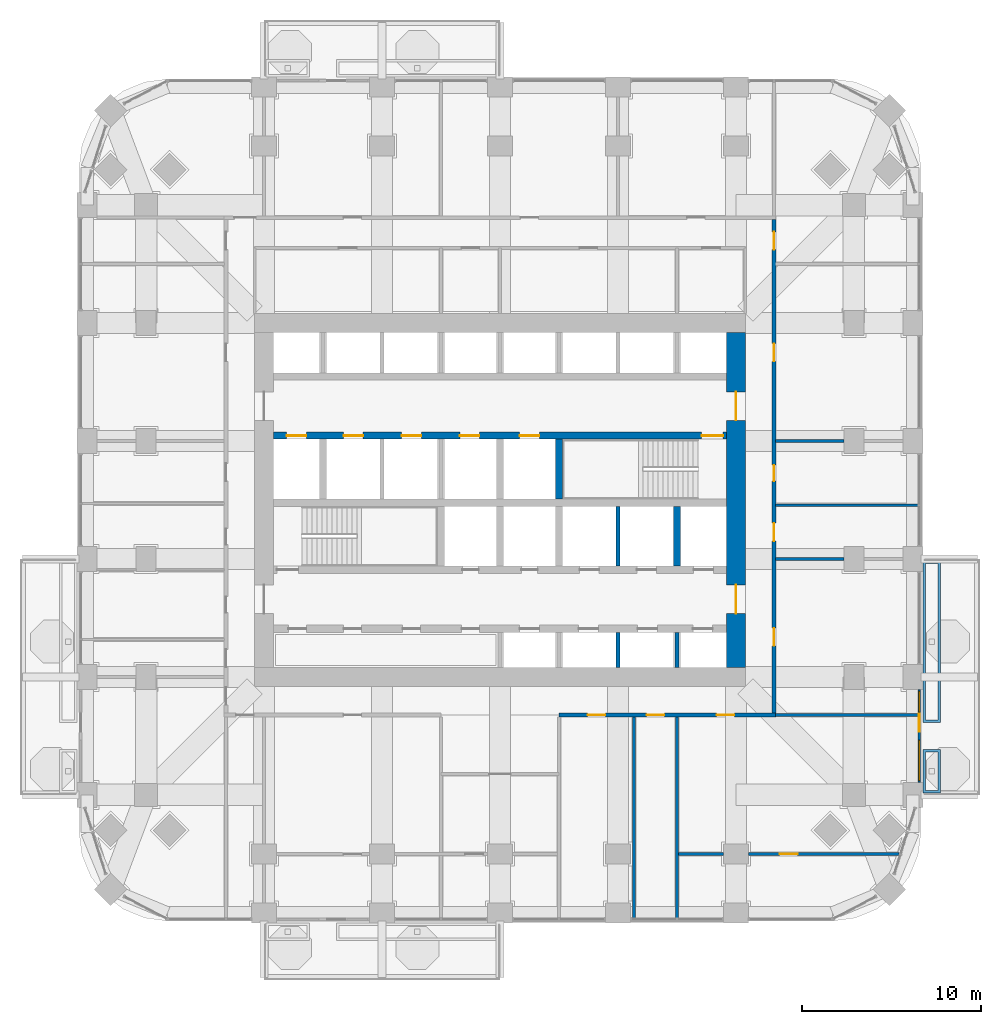
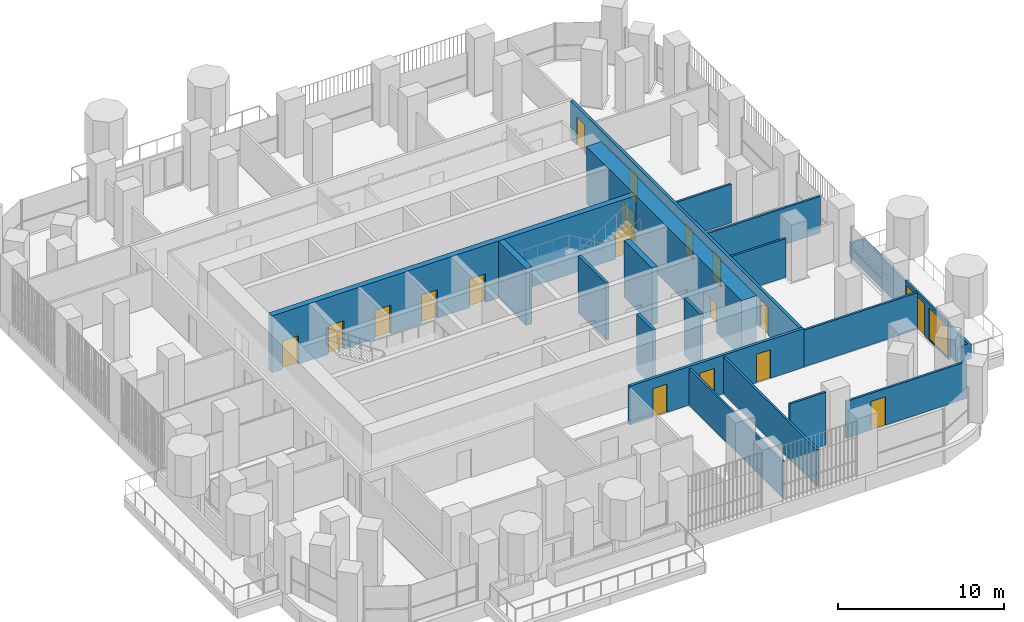
# One storey, part 15 of 21: 20 walls, 18 doors, 2 windows, 20 openings.
"""IFC4 building model written with IfcOpenShell, lengths in metres."""

from ifc_helpers import new_model, si_unit, direction, frame, frame_2d, origin, place, context, subcontext, project, spatial, polyline, rectangle, outline, extrude, material, layer, layer_set, type_object, element, fill, save


model = new_model("IFC4")

# Units and contexts
model_context = context("Model", 3, precision=1e-05, world=origin(), true_north=direction((0.0, 1.0)))
body_context = subcontext(model_context, "Body", "Model", "MODEL_VIEW")
ifc_project = project(units=[si_unit("LENGTHUNIT", "METRE"), si_unit("AREAUNIT", "SQUARE_METRE"), si_unit("VOLUMEUNIT", "CUBIC_METRE"), si_unit("PLANEANGLEUNIT", "RADIAN"), si_unit("MASSUNIT", "GRAM", prefix="KILO")], contexts=[model_context])

# Site, building, storey
site_placement = place(None, origin())
site = spatial("IfcSite", under=ifc_project, at=site_placement, CompositionType="ELEMENT")
building_placement = place(site_placement, origin())
building = spatial("IfcBuilding", under=site, at=building_placement, Name="Cobogo Forest Laboratory Tower", CompositionType="ELEMENT")
storey_placement = place(building_placement, frame((0.0, 0.0, 115.800048828125)))
storey = spatial("IfcBuildingStorey", under=building, at=storey_placement, Name="L26", CompositionType="ELEMENT", Elevation=115.800048828125)

# Wall, openings, doors
ifc_material_1 = material(Name="Concrete HA-50 (C50/60)", Category="concrete")
ifc_layer_1 = layer(ifc_material_1, 0.39990234375)
ifc_layer_set_1 = layer_set([ifc_layer_1], Name="CI400 core inner wall 400")
wall_type_1 = type_object("IfcWallType", Name="CI400 core inner wall 400", PredefinedType="SHEAR", material=ifc_layer_set_1)
wall_1_placement = place(storey_placement, frame((13.72509765625, 26.699951171875, 0.0), z_axis=(0.0, 0.0, 1.0), x_axis=(1.0, 0.0, 0.0)))
wall_1 = element("IfcWall", 1, at=wall_1_placement, inside=storey, type_object=wall_type_1, Name="Core wall CI-26.7 L26", PredefinedType="SHEAR", context=body_context, shape_type="SweptSolid", body=[
    extrude(rectangle(XDim=25.349853515625, YDim=0.39990234375, at=frame_2d((12.6748046875, 0.0))), origin(), (0.0, 0.0, 1.0), 4.199951171875),
])
opening_1_placement = place(wall_1_placement, frame((23.949951171875, 0.0, 0.0)))
opening_1 = element("IfcOpeningElement", 2, at=opening_1_placement, cuts=wall_1, Name="Opening L26-D30", PredefinedType="OPENING", context=body_context, shape_type="SweptSolid", body=[
    extrude(rectangle(XDim=1.199951171875, YDim=2.10009765625, at=frame_2d((0.60009765625, 1.050048828125))), frame((0.0, 0.2099609375, 0.0), z_axis=(0.0, -1.0, 0.0), x_axis=(1.0, 0.0, 0.0)), (0.0, 0.0, 1.0), 0.419921875),
])
opening_2_placement = place(wall_1_placement, frame((0.737548828125, 0.0, 0.0)))
opening_2 = element("IfcOpeningElement", 3, at=opening_2_placement, cuts=wall_1, Name="Opening L26-LD-FL1", PredefinedType="OPENING", context=body_context, shape_type="SweptSolid", body=[
    extrude(rectangle(XDim=1.10009765625, YDim=2.10009765625, at=frame_2d((0.550048828125, 1.050048828125))), frame((0.0, 0.2099609375, 0.0), z_axis=(0.0, -1.0, 0.0), x_axis=(1.0, 0.0, 0.0)), (0.0, 0.0, 1.0), 0.419921875),
])
opening_3_placement = place(wall_1_placement, frame((3.925048828125, 0.0, 0.0)))
opening_3 = element("IfcOpeningElement", 4, at=opening_3_placement, cuts=wall_1, Name="Opening L26-LD-LS3", PredefinedType="OPENING", context=body_context, shape_type="SweptSolid", body=[
    extrude(rectangle(XDim=1.10009765625, YDim=2.10009765625, at=frame_2d((0.550048828125, 1.050048828125))), frame((0.0, 0.2099609375, 0.0), z_axis=(0.0, -1.0, 0.0), x_axis=(1.0, 0.0, 0.0)), (0.0, 0.0, 1.0), 0.419921875),
])
opening_4_placement = place(wall_1_placement, frame((7.175048828125, 0.0, 0.0)))
opening_4 = element("IfcOpeningElement", 5, at=opening_4_placement, cuts=wall_1, Name="Opening L26-LD-LS4", PredefinedType="OPENING", context=body_context, shape_type="SweptSolid", body=[
    extrude(rectangle(XDim=1.10009765625, YDim=2.10009765625, at=frame_2d((0.550048828125, 1.050048828125))), frame((0.0, 0.2099609375, 0.0), z_axis=(0.0, -1.0, 0.0), x_axis=(1.0, 0.0, 0.0)), (0.0, 0.0, 1.0), 0.419921875),
])
opening_5_placement = place(wall_1_placement, frame((10.425048828125, 0.0, 0.0)))
opening_5 = element("IfcOpeningElement", 6, at=opening_5_placement, cuts=wall_1, Name="Opening L26-LD-LS5", PredefinedType="OPENING", context=body_context, shape_type="SweptSolid", body=[
    extrude(rectangle(XDim=1.10009765625, YDim=2.10009765625, at=frame_2d((0.550048828125, 1.050048828125))), frame((0.0, 0.2099609375, 0.0), z_axis=(0.0, -1.0, 0.0), x_axis=(1.0, 0.0, 0.0)), (0.0, 0.0, 1.0), 0.419921875),
])
opening_6_placement = place(wall_1_placement, frame((13.77490234375, 0.0, 0.0)))
opening_6 = element("IfcOpeningElement", 7, at=opening_6_placement, cuts=wall_1, Name="Opening L26-LD-LS6", PredefinedType="OPENING", context=body_context, shape_type="SweptSolid", body=[
    extrude(rectangle(XDim=1.10009765625, YDim=2.10009765625, at=frame_2d((0.550048828125, 1.050048828125))), frame((0.0, 0.2099609375, 0.0), z_axis=(0.0, -1.0, 0.0), x_axis=(1.0, 0.0, 0.0)), (0.0, 0.0, 1.0), 0.419921875),
])
ifc_material_2 = material(Name="Steel fire door", Category="steel")
door_type_1 = type_object("IfcDoorType", Name="DS1 protected stair door 1200 EI2 60", OperationType="SINGLE_SWING_LEFT", PredefinedType="DOOR", material=ifc_material_2)
door_1_placement = place(opening_1_placement, origin())
door_1 = element("IfcDoor", 8, at=door_1_placement, inside=storey, type_object=door_type_1, Name="Door L26-ST2", OperationType="SINGLE_SWING_RIGHT", OverallHeight=2.10009765625, OverallWidth=1.199951171875, PredefinedType="DOOR", context=body_context, shape_type="SweptSolid", body=[
    extrude(rectangle(XDim=1.199951171875, YDim=2.10009765625, at=frame_2d((0.60009765625, 1.050048828125))), frame((0.0, 0.02490234375, 0.0), z_axis=(0.0, -1.0, 0.0), x_axis=(1.0, 0.0, 0.0)), (0.0, 0.0, 1.0), 0.050048828125),
])
fill(opening_1, door_1)
ifc_material_3 = material(Name="Stainless steel lift door", Category="steel")
door_type_2 = type_object("IfcDoorType", Name="LD lift landing door 1100", OperationType="DOUBLE_DOOR_SLIDING", PredefinedType="DOOR", material=ifc_material_3)
door_2_placement = place(opening_2_placement, origin())
door_2 = element("IfcDoor", 9, at=door_2_placement, inside=storey, type_object=door_type_2, Name="Lift landing door FL1 L26", OperationType="DOUBLE_DOOR_SLIDING", OverallHeight=2.10009765625, OverallWidth=1.10009765625, PredefinedType="DOOR", context=body_context, shape_type="SweptSolid", body=[
    extrude(rectangle(XDim=1.10009765625, YDim=2.10009765625, at=frame_2d((0.550048828125, 1.050048828125))), frame((0.0, 0.02490234375, 0.0), z_axis=(0.0, -1.0, 0.0), x_axis=(1.0, 0.0, 0.0)), (0.0, 0.0, 1.0), 0.050048828125),
])
fill(opening_2, door_2)
door_3_placement = place(opening_3_placement, origin())
door_3 = element("IfcDoor", 10, at=door_3_placement, inside=storey, type_object=door_type_2, Name="Lift landing door LS3 L26", OperationType="DOUBLE_DOOR_SLIDING", OverallHeight=2.10009765625, OverallWidth=1.10009765625, PredefinedType="DOOR", context=body_context, shape_type="SweptSolid", body=[
    extrude(rectangle(XDim=1.10009765625, YDim=2.10009765625, at=frame_2d((0.550048828125, 1.050048828125))), frame((0.0, 0.02490234375, 0.0), z_axis=(0.0, -1.0, 0.0), x_axis=(1.0, 0.0, 0.0)), (0.0, 0.0, 1.0), 0.050048828125),
])
fill(opening_3, door_3)
door_4_placement = place(opening_4_placement, origin())
door_4 = element("IfcDoor", 11, at=door_4_placement, inside=storey, type_object=door_type_2, Name="Lift landing door LS4 L26", OperationType="DOUBLE_DOOR_SLIDING", OverallHeight=2.10009765625, OverallWidth=1.10009765625, PredefinedType="DOOR", context=body_context, shape_type="SweptSolid", body=[
    extrude(rectangle(XDim=1.10009765625, YDim=2.10009765625, at=frame_2d((0.550048828125, 1.050048828125))), frame((0.0, 0.02490234375, 0.0), z_axis=(0.0, -1.0, 0.0), x_axis=(1.0, 0.0, 0.0)), (0.0, 0.0, 1.0), 0.050048828125),
])
fill(opening_4, door_4)
door_5_placement = place(opening_5_placement, origin())
door_5 = element("IfcDoor", 12, at=door_5_placement, inside=storey, type_object=door_type_2, Name="Lift landing door LS5 L26", OperationType="DOUBLE_DOOR_SLIDING", OverallHeight=2.10009765625, OverallWidth=1.10009765625, PredefinedType="DOOR", context=body_context, shape_type="SweptSolid", body=[
    extrude(rectangle(XDim=1.10009765625, YDim=2.10009765625, at=frame_2d((0.550048828125, 1.050048828125))), frame((0.0, 0.02490234375, 0.0), z_axis=(0.0, -1.0, 0.0), x_axis=(1.0, 0.0, 0.0)), (0.0, 0.0, 1.0), 0.050048828125),
])
fill(opening_5, door_5)
door_6_placement = place(opening_6_placement, origin())
door_6 = element("IfcDoor", 13, at=door_6_placement, inside=storey, type_object=door_type_2, Name="Lift landing door LS6 L26", OperationType="DOUBLE_DOOR_SLIDING", OverallHeight=2.10009765625, OverallWidth=1.10009765625, PredefinedType="DOOR", context=body_context, shape_type="SweptSolid", body=[
    extrude(rectangle(XDim=1.10009765625, YDim=2.10009765625, at=frame_2d((0.550048828125, 1.050048828125))), frame((0.0, 0.02490234375, 0.0), z_axis=(0.0, -1.0, 0.0), x_axis=(1.0, 0.0, 0.0)), (0.0, 0.0, 1.0), 0.050048828125),
])
fill(opening_6, door_6)

# Walls
for number, where, z_axis, x_axis, name in (
    (14, (36.300048828125, 19.39990234375, 0.0), (0.0, 0.0, 1.0), (0.0, 1.0, 0.0), "Core wall CX-36.3 L26"),
    (15, (29.699951171875, 23.14990234375, 0.0), (0.0, 0.0, 1.0), (0.0, 1.0, 0.0), "Core wall CX-29.7N L26"),
):
    element("IfcWall", number, at=place(storey_placement, frame(where, z_axis=z_axis, x_axis=x_axis)), inside=storey, type_object=wall_type_1, Name=name, PredefinedType="SHEAR", context=body_context, shape_type="SweptSolid", body=[
        extrude(rectangle(XDim=3.35009765625, YDim=0.39990234375, at=frame_2d((1.675048828125, 0.0))), origin(), (0.0, 0.0, 1.0), 4.199951171875),
    ])

# Wall, openings, doors
ifc_layer_2 = layer(ifc_material_1, 1.050048828125)
ifc_layer_set_2 = layer_set([ifc_layer_2], Name="CW1050 core outer wall 1050")
wall_type_2 = type_object("IfcWallType", Name="CW1050 core outer wall 1050", PredefinedType="SHEAR", material=ifc_layer_set_2)
wall_2_placement = place(storey_placement, frame((39.60009765625, 13.72509765625, 0.0), z_axis=(0.0, 0.0, 1.0), x_axis=(0.0, 1.0, 0.0)))
wall_2 = element("IfcWall", 16, at=wall_2_placement, inside=storey, type_object=wall_type_2, Name="Core wall CO-E L26", PredefinedType="SHEAR", context=body_context, shape_type="SweptSolid", body=[
    extrude(rectangle(XDim=18.75, YDim=1.050048828125, at=frame_2d((9.375, 0.0))), origin(), (0.0, 0.0, 1.0), 4.199951171875),
])
opening_7_placement = place(wall_2_placement, frame((3.02490234375, 0.0, 0.0)))
opening_7 = element("IfcOpeningElement", 17, at=opening_7_placement, cuts=wall_2, Name="Opening L26-D22", PredefinedType="OPENING", context=body_context, shape_type="SweptSolid", body=[
    extrude(rectangle(XDim=1.60009765625, YDim=2.10009765625, at=frame_2d((0.800048828125, 1.050048828125))), frame((0.0, 0.534912109375, 0.0), z_axis=(0.0, -1.0, 0.0), x_axis=(1.0, 0.0, 0.0)), (0.0, 0.0, 1.0), 1.070068359375),
])
opening_8_placement = place(wall_2_placement, frame((13.824951171875, 0.0, 0.0)))
opening_8 = element("IfcOpeningElement", 18, at=opening_8_placement, cuts=wall_2, Name="Opening L26-D32", PredefinedType="OPENING", context=body_context, shape_type="SweptSolid", body=[
    extrude(rectangle(XDim=1.60009765625, YDim=2.10009765625, at=frame_2d((0.800048828125, 1.050048828125))), frame((0.0, 0.534912109375, 0.0), z_axis=(0.0, -1.0, 0.0), x_axis=(1.0, 0.0, 0.0)), (0.0, 0.0, 1.0), 1.070068359375),
])
door_type_3 = type_object("IfcDoorType", Name="DS2 protected lobby door pair 1600 EI2 60", OperationType="DOUBLE_DOOR_DOUBLE_SWING", PredefinedType="DOOR", material=ifc_material_2)
door_7_placement = place(opening_7_placement, origin())
door_7 = element("IfcDoor", 19, at=door_7_placement, inside=storey, type_object=door_type_3, Name="Door L26-CO-E-S", OperationType="DOUBLE_DOOR_DOUBLE_SWING", OverallHeight=2.10009765625, OverallWidth=1.60009765625, PredefinedType="DOOR", context=body_context, shape_type="SweptSolid", body=[
    extrude(rectangle(XDim=1.60009765625, YDim=2.10009765625, at=frame_2d((0.800048828125, 1.050048828125))), frame((0.0, 0.02490234375, 0.0), z_axis=(0.0, -1.0, 0.0), x_axis=(1.0, 0.0, 0.0)), (0.0, 0.0, 1.0), 0.050048828125),
])
fill(opening_7, door_7)
door_8_placement = place(opening_8_placement, origin())
door_8 = element("IfcDoor", 20, at=door_8_placement, inside=storey, type_object=door_type_3, Name="Door L26-CO-E-N", OperationType="DOUBLE_DOOR_DOUBLE_SWING", OverallHeight=2.10009765625, OverallWidth=1.60009765625, PredefinedType="DOOR", context=body_context, shape_type="SweptSolid", body=[
    extrude(rectangle(XDim=1.60009765625, YDim=2.10009765625, at=frame_2d((0.800048828125, 1.050048828125))), frame((0.0, 0.02490234375, 0.0), z_axis=(0.0, -1.0, 0.0), x_axis=(1.0, 0.0, 0.0)), (0.0, 0.0, 1.0), 0.050048828125),
])
fill(opening_8, door_8)

# Wall, openings, door, windows
ifc_material_4 = material(Name="Aluminium framed glazed screen", Category="aluminium")
ifc_layer_3 = layer(ifc_material_4, 0.14990234375)
ifc_layer_set_3 = layer_set([ifc_layer_3], Name="GS1 glazed door screen 150")
wall_type_3 = type_object("IfcWallType", Name="GS1 glazed door screen 150", PredefinedType="SOLIDWALL", material=ifc_layer_set_3)
wall_3_placement = place(storey_placement, frame((49.85009765625, 7.300048828125, 0.0), z_axis=(0.0, 0.0, 1.0), x_axis=(0.0, 1.0, 0.0)))
wall_3 = element("IfcWall", 21, at=wall_3_placement, inside=storey, type_object=wall_type_3, Name="Door screen BAL-E1 L26", PredefinedType="SOLIDWALL", context=body_context, shape_type="SweptSolid", body=[
    extrude(rectangle(XDim=5.199951171875, YDim=0.14990234375, at=frame_2d((2.60009765625, 0.0))), origin(), (0.0, 0.0, 1.0), 2.699951171875),
])
opening_9_placement = place(wall_3_placement, frame((2.85009765625, 0.0, 0.0)))
opening_9 = element("IfcOpeningElement", 22, at=opening_9_placement, cuts=wall_3, Name="Opening L26-D07", PredefinedType="OPENING", context=body_context, shape_type="SweptSolid", body=[
    extrude(rectangle(XDim=1.0, YDim=2.39990234375, at=frame_2d((0.5, 1.199951171875))), frame((0.0, 0.0849609375, 0.0), z_axis=(0.0, -1.0, 0.0), x_axis=(1.0, 0.0, 0.0)), (0.0, 0.0, 1.0), 0.169921875),
])
opening_10_placement = place(wall_3_placement, frame((0.10009765625, 0.0, 0.10009765625)))
opening_10 = element("IfcOpeningElement", 23, at=opening_10_placement, cuts=wall_3, Name="Opening L26-W04", PredefinedType="OPENING", context=body_context, shape_type="SweptSolid", body=[
    extrude(rectangle(XDim=2.25, YDim=2.300048828125, at=frame_2d((1.125, 1.14990234375))), frame((0.0, 0.0849609375, 0.0), z_axis=(0.0, -1.0, 0.0), x_axis=(1.0, 0.0, 0.0)), (0.0, 0.0, 1.0), 0.169921875),
])
opening_11_placement = place(wall_3_placement, frame((3.949951171875, 0.0, 0.10009765625)))
opening_11 = element("IfcOpeningElement", 24, at=opening_11_placement, cuts=wall_3, Name="Opening L26-W06", PredefinedType="OPENING", context=body_context, shape_type="SweptSolid", body=[
    extrude(rectangle(XDim=1.14990234375, YDim=2.300048828125, at=frame_2d((0.574951171875, 1.14990234375))), frame((0.0, 0.0849609375, 0.0), z_axis=(0.0, -1.0, 0.0), x_axis=(1.0, 0.0, 0.0)), (0.0, 0.0, 1.0), 0.169921875),
])
ifc_material_5 = material(Name="Aluminium glazed door", Category="aluminium")
door_type_4 = type_object("IfcDoorType", Name="DB1 balcony door 1000 glazed", OperationType="SINGLE_SWING_LEFT", PredefinedType="DOOR", material=ifc_material_5)
door_9_placement = place(opening_9_placement, origin())
door_9 = element("IfcDoor", 25, at=door_9_placement, inside=storey, type_object=door_type_4, Name="Door L26-BAL-E1", OperationType="SINGLE_SWING_RIGHT", OverallHeight=2.39990234375, OverallWidth=1.0, PredefinedType="DOOR", context=body_context, shape_type="SweptSolid", body=[
    extrude(rectangle(XDim=1.0, YDim=2.39990234375, at=frame_2d((0.5, 1.199951171875))), frame((0.0, 0.02490234375, 0.0), z_axis=(0.0, -1.0, 0.0), x_axis=(1.0, 0.0, 0.0)), (0.0, 0.0, 1.0), 0.050048828125),
])
fill(opening_9, door_9)
ifc_material_6 = material(Name="Aluminium framed glazing", Category="aluminium")
window_type_1 = type_object("IfcWindowType", Name="WG15 fixed glazed light 2250x2300", PartitioningType="SINGLE_PANEL", PredefinedType="WINDOW", material=ifc_material_6)
window_1_placement = place(opening_10_placement, origin())
window_1 = element("IfcWindow", 26, at=window_1_placement, inside=storey, type_object=window_type_1, Name="Window L26-BAL-E1-1", OverallHeight=2.300048828125, OverallWidth=2.25, PartitioningType="SINGLE_PANEL", PredefinedType="WINDOW", context=body_context, shape_type="SweptSolid", body=[
    extrude(rectangle(XDim=2.25, YDim=2.300048828125, at=frame_2d((1.125, 1.14990234375))), frame((0.0, 0.030029296875, 0.0), z_axis=(0.0, -1.0, 0.0), x_axis=(1.0, 0.0, 0.0)), (0.0, 0.0, 1.0), 0.06005859375),
])
fill(opening_10, window_1)
window_type_2 = type_object("IfcWindowType", Name="WG16 fixed glazed light 1150x2300", PartitioningType="SINGLE_PANEL", PredefinedType="WINDOW", material=ifc_material_6)
window_2_placement = place(opening_11_placement, origin())
window_2 = element("IfcWindow", 27, at=window_2_placement, inside=storey, type_object=window_type_2, Name="Window L26-BAL-E1-2", OverallHeight=2.300048828125, OverallWidth=1.14990234375, PartitioningType="SINGLE_PANEL", PredefinedType="WINDOW", context=body_context, shape_type="SweptSolid", body=[
    extrude(rectangle(XDim=1.14990234375, YDim=2.300048828125, at=frame_2d((0.574951171875, 1.14990234375))), frame((0.0, 0.030029296875, 0.0), z_axis=(0.0, -1.0, 0.0), x_axis=(1.0, 0.0, 0.0)), (0.0, 0.0, 1.0), 0.06005859375),
])
fill(opening_11, window_2)

# Walls
ifc_material_7 = material(Name="Gypsum board on steel studs", Category="steel")
ifc_layer_4 = layer(ifc_material_7, 0.14990234375)
ifc_layer_set_4 = layer_set([ifc_layer_4], Name="PT1 laboratory partition 150")
wall_type_4 = type_object("IfcWallType", Name="PT1 laboratory partition 150", PredefinedType="PARTITIONING", material=ifc_layer_set_4)
wall_4_placement = place(storey_placement, frame((49.77001953125, 11.074951171875, 0.0), z_axis=(0.0, 0.0, 1.0), x_axis=(-1.0, 0.0, 0.0)))
element("IfcWall", 28, at=wall_4_placement, inside=storey, type_object=wall_type_4, Name="Partition PW-SE L26", PredefinedType="PARTITIONING", context=body_context, shape_type="SweptSolid", body=[
    extrude(rectangle(XDim=7.945068359375, YDim=0.14990234375, at=frame_2d((3.97265625, 0.0))), origin(), (0.0, 0.0, 1.0), 2.699951171875),
])
wall_5_placement = place(storey_placement, frame((36.375, 3.300048828125, 0.0), z_axis=(0.0, 0.0, 1.0), x_axis=(1.0, 0.0, 0.0)))
element("IfcWall", 29, at=wall_5_placement, inside=storey, type_object=wall_type_4, Name="Partition STRIP-S-4 L26", PredefinedType="PARTITIONING", context=body_context, shape_type="SweptSolid", body=[
    extrude(rectangle(XDim=2.52490234375, YDim=0.14990234375, at=frame_2d((1.262451171875, 0.0))), origin(), (0.0, 0.0, 1.0), 3.89990234375),
])

# Wall, opening, door
wall_6_placement = place(storey_placement, frame((40.300048828125, 3.300048828125, 0.0), z_axis=(0.0, 0.0, 1.0), x_axis=(1.0, 0.0, 0.0)))
wall_6 = element("IfcWall", 30, at=wall_6_placement, inside=storey, type_object=wall_type_4, Name="Partition STRIP-S-5 L26", PredefinedType="PARTITIONING", context=body_context, shape_type="SweptSolid", body=[
    extrude(rectangle(XDim=8.423828125, YDim=0.14990234375, at=frame_2d((4.2119140625, 0.0))), origin(), (0.0, 0.0, 1.0), 2.699951171875),
])
opening_12_placement = place(wall_6_placement, frame((1.7421875, 0.0, 0.0)))
opening_12 = element("IfcOpeningElement", 31, at=opening_12_placement, cuts=wall_6, Name="Opening L26-D04", PredefinedType="OPENING", context=body_context, shape_type="SweptSolid", body=[
    extrude(rectangle(XDim=1.0, YDim=2.10009765625, at=frame_2d((0.5, 1.050048828125))), frame((0.0, 0.0849609375, 0.0), z_axis=(0.0, -1.0, 0.0), x_axis=(1.0, 0.0, 0.0)), (0.0, 0.0, 1.0), 0.169921875),
])
ifc_material_8 = material(Name="Timber fire door", Category="wood")
door_type_5 = type_object("IfcDoorType", Name="FD2 fire door 1000 EI2 30", OperationType="SINGLE_SWING_LEFT", PredefinedType="DOOR", material=ifc_material_8)
door_10_placement = place(opening_12_placement, origin())
door_10 = element("IfcDoor", 32, at=door_10_placement, inside=storey, type_object=door_type_5, Name="Door L26-S4W", OperationType="SINGLE_SWING_LEFT", OverallHeight=2.10009765625, OverallWidth=1.0, PredefinedType="DOOR", context=body_context, shape_type="SweptSolid", body=[
    extrude(rectangle(XDim=1.0, YDim=2.10009765625, at=frame_2d((0.5, 1.050048828125))), frame((0.0, 0.02490234375, 0.0), z_axis=(0.0, -1.0, 0.0), x_axis=(1.0, 0.0, 0.0)), (0.0, 0.0, 1.0), 0.050048828125),
])
fill(opening_12, door_10)

# Walls
for number, where, z_axis, x_axis, name in (
    (33, (33.89990234375, -0.27001953125, 0.0), (0.0, 0.0, 1.0), (0.0, 1.0, 0.0), "Partition SVC-S1-1 L26"),
    (34, (36.300048828125, -0.27001953125, 0.0), (0.0, 0.0, 1.0), (0.0, 1.0, 0.0), "Partition SVC-S2-1 L26"),
):
    element("IfcWall", number, at=place(storey_placement, frame(where, z_axis=z_axis, x_axis=x_axis)), inside=storey, type_object=wall_type_4, Name=name, PredefinedType="PARTITIONING", context=body_context, shape_type="SweptSolid", body=[
        extrude(rectangle(XDim=11.2451171875, YDim=0.14990234375, at=frame_2d((5.62255859375, 0.0))), origin(), (0.0, 0.0, 1.0), 2.699951171875),
    ])
wall_7_placement = place(storey_placement, frame((49.77001953125, 22.800048828125, 0.0), z_axis=(0.0, 0.0, 1.0), x_axis=(-1.0, 0.0, 0.0)))
element("IfcWall", 35, at=wall_7_placement, inside=storey, type_object=wall_type_4, Name="Partition SVC-E1-1 L26", PredefinedType="PARTITIONING", context=body_context, shape_type="SweptSolid", body=[
    extrude(rectangle(XDim=7.945068359375, YDim=0.14990234375, at=frame_2d((3.97265625, 0.0))), origin(), (0.0, 0.0, 1.0), 2.699951171875),
])
for number, where, z_axis, x_axis, name in (
    (36, (45.64990234375, 19.800048828125, 0.0), (0.0, 0.0, 1.0), (-1.0, 0.0, 0.0), "Partition CUT-E19.8-2 L26"),
    (37, (45.64990234375, 26.39990234375, 0.0), (0.0, 0.0, 1.0), (-1.0, 0.0, 0.0), "Partition CUT-E26.4-2 L26"),
):
    element("IfcWall", number, at=place(storey_placement, frame(where, z_axis=z_axis, x_axis=x_axis)), inside=storey, type_object=wall_type_4, Name=name, PredefinedType="PARTITIONING", context=body_context, shape_type="SweptSolid", body=[
        extrude(rectangle(XDim=3.824951171875, YDim=0.14990234375, at=frame_2d((1.91259765625, 0.0))), origin(), (0.0, 0.0, 1.0), 2.849853515625),
    ])

# Wall, openings, doors
ifc_layer_5 = layer(ifc_material_7, 0.199951171875)
ifc_layer_set_5 = layer_set([ifc_layer_5], Name="PT2 fire-rated corridor partition 200")
wall_type_5 = type_object("IfcWallType", Name="PT2 fire-rated corridor partition 200", PredefinedType="PARTITIONING", material=ifc_layer_set_5)
wall_8_placement = place(storey_placement, frame((29.699951171875, 11.074951171875, 0.0), z_axis=(0.0, 0.0, 1.0), x_axis=(1.0, 0.0, 0.0)))
wall_8 = element("IfcWall", 38, at=wall_8_placement, inside=storey, type_object=wall_type_5, Name="Partition CORR-S-2 L26", PredefinedType="PARTITIONING", context=body_context, shape_type="SweptSolid", body=[
    extrude(rectangle(XDim=12.125, YDim=0.199951171875, at=frame_2d((6.0625, 0.0))), origin(), (0.0, 0.0, 1.0), 2.849853515625),
])
opening_13_placement = place(wall_8_placement, frame((1.60009765625, 0.0, 0.0)))
opening_13 = element("IfcOpeningElement", 39, at=opening_13_placement, cuts=wall_8, Name="Opening L26-D10", PredefinedType="OPENING", context=body_context, shape_type="SweptSolid", body=[
    extrude(rectangle(XDim=1.0, YDim=2.10009765625, at=frame_2d((0.5, 1.050048828125))), frame((0.0, 0.10986328125, 0.0), z_axis=(0.0, -1.0, 0.0), x_axis=(1.0, 0.0, 0.0)), (0.0, 0.0, 1.0), 0.219970703125),
])
opening_14_placement = place(wall_8_placement, frame((4.89990234375, 0.0, 0.0)))
opening_14 = element("IfcOpeningElement", 40, at=opening_14_placement, cuts=wall_8, Name="Opening L26-D11", PredefinedType="OPENING", context=body_context, shape_type="SweptSolid", body=[
    extrude(rectangle(XDim=1.0, YDim=2.10009765625, at=frame_2d((0.5, 1.050048828125))), frame((0.0, 0.10986328125, 0.0), z_axis=(0.0, -1.0, 0.0), x_axis=(1.0, 0.0, 0.0)), (0.0, 0.0, 1.0), 0.219970703125),
])
opening_15_placement = place(wall_8_placement, frame((8.8125, 0.0, 0.0)))
opening_15 = element("IfcOpeningElement", 41, at=opening_15_placement, cuts=wall_8, Name="Opening L26-D12", PredefinedType="OPENING", context=body_context, shape_type="SweptSolid", body=[
    extrude(rectangle(XDim=1.0, YDim=2.10009765625, at=frame_2d((0.5, 1.050048828125))), frame((0.0, 0.10986328125, 0.0), z_axis=(0.0, -1.0, 0.0), x_axis=(1.0, 0.0, 0.0)), (0.0, 0.0, 1.0), 0.219970703125),
])
door_11_placement = place(opening_13_placement, origin())
door_11 = element("IfcDoor", 42, at=door_11_placement, inside=storey, type_object=door_type_5, Name="Door L26-MTG", OperationType="SINGLE_SWING_LEFT", OverallHeight=2.10009765625, OverallWidth=1.0, PredefinedType="DOOR", context=body_context, shape_type="SweptSolid", body=[
    extrude(rectangle(XDim=1.0, YDim=2.10009765625, at=frame_2d((0.5, 1.050048828125))), frame((0.0, 0.02490234375, 0.0), z_axis=(0.0, -1.0, 0.0), x_axis=(1.0, 0.0, 0.0)), (0.0, 0.0, 1.0), 0.050048828125),
])
fill(opening_13, door_11)
door_12_placement = place(opening_14_placement, origin())
door_12 = element("IfcDoor", 43, at=door_12_placement, inside=storey, type_object=door_type_5, Name="Door L26-PAN", OperationType="SINGLE_SWING_LEFT", OverallHeight=2.10009765625, OverallWidth=1.0, PredefinedType="DOOR", context=body_context, shape_type="SweptSolid", body=[
    extrude(rectangle(XDim=1.0, YDim=2.10009765625, at=frame_2d((0.5, 1.050048828125))), frame((0.0, 0.02490234375, 0.0), z_axis=(0.0, -1.0, 0.0), x_axis=(1.0, 0.0, 0.0)), (0.0, 0.0, 1.0), 0.050048828125),
])
fill(opening_14, door_12)
door_13_placement = place(opening_15_placement, origin())
door_13 = element("IfcDoor", 44, at=door_13_placement, inside=storey, type_object=door_type_5, Name="Door L26-S4", OperationType="SINGLE_SWING_RIGHT", OverallHeight=2.10009765625, OverallWidth=1.0, PredefinedType="DOOR", context=body_context, shape_type="SweptSolid", body=[
    extrude(rectangle(XDim=1.0, YDim=2.10009765625, at=frame_2d((0.5, 1.050048828125))), frame((0.0, 0.02490234375, 0.0), z_axis=(0.0, -1.0, 0.0), x_axis=(1.0, 0.0, 0.0)), (0.0, 0.0, 1.0), 0.050048828125),
])
fill(opening_15, door_13)

wall_9_placement = place(storey_placement, frame((41.72509765625, 11.175048828125, 0.0), z_axis=(0.0, 0.0, 1.0), x_axis=(0.0, 1.0, 0.0)))
wall_9 = element("IfcWall", 45, at=wall_9_placement, inside=storey, type_object=wall_type_5, Name="Partition CORR-E L26", PredefinedType="PARTITIONING", context=body_context, shape_type="SweptSolid", body=[
    extrude(rectangle(XDim=27.625, YDim=0.199951171875, at=frame_2d((13.8125, 0.0))), origin(), (0.0, 0.0, 1.0), 2.849853515625),
])
opening_16_placement = place(wall_9_placement, frame((3.762451171875, 0.0, 0.0)))
opening_16 = element("IfcOpeningElement", 46, at=opening_16_placement, cuts=wall_9, Name="Opening L26-D15", PredefinedType="OPENING", context=body_context, shape_type="SweptSolid", body=[
    extrude(rectangle(XDim=1.0, YDim=2.10009765625, at=frame_2d((0.5, 1.050048828125))), frame((0.0, 0.10986328125, 0.0), z_axis=(0.0, -1.0, 0.0), x_axis=(1.0, 0.0, 0.0)), (0.0, 0.0, 1.0), 0.219970703125),
])
opening_17_placement = place(wall_9_placement, frame((9.625, 0.0, 0.0)))
opening_17 = element("IfcOpeningElement", 47, at=opening_17_placement, cuts=wall_9, Name="Opening L26-D27", PredefinedType="OPENING", context=body_context, shape_type="SweptSolid", body=[
    extrude(rectangle(XDim=1.0, YDim=2.10009765625, at=frame_2d((0.5, 1.050048828125))), frame((0.0, 0.10986328125, 0.0), z_axis=(0.0, -1.0, 0.0), x_axis=(1.0, 0.0, 0.0)), (0.0, 0.0, 1.0), 0.219970703125),
])
opening_18_placement = place(wall_9_placement, frame((12.97509765625, 0.0, 0.0)))
opening_18 = element("IfcOpeningElement", 48, at=opening_18_placement, cuts=wall_9, Name="Opening L26-D28", PredefinedType="OPENING", context=body_context, shape_type="SweptSolid", body=[
    extrude(rectangle(XDim=0.89990234375, YDim=2.10009765625, at=frame_2d((0.449951171875, 1.050048828125))), frame((0.0, 0.10986328125, 0.0), z_axis=(0.0, -1.0, 0.0), x_axis=(1.0, 0.0, 0.0)), (0.0, 0.0, 1.0), 0.219970703125),
])
opening_19_placement = place(wall_9_placement, frame((19.675048828125, 0.0, 0.0)))
opening_19 = element("IfcOpeningElement", 49, at=opening_19_placement, cuts=wall_9, Name="Opening L26-D34", PredefinedType="OPENING", context=body_context, shape_type="SweptSolid", body=[
    extrude(rectangle(XDim=1.0, YDim=2.10009765625, at=frame_2d((0.5, 1.050048828125))), frame((0.0, 0.10986328125, 0.0), z_axis=(0.0, -1.0, 0.0), x_axis=(1.0, 0.0, 0.0)), (0.0, 0.0, 1.0), 0.219970703125),
])
opening_20_placement = place(wall_9_placement, frame((25.925048828125, 0.0, 0.0)))
opening_20 = element("IfcOpeningElement", 50, at=opening_20_placement, cuts=wall_9, Name="Opening L26-D40", PredefinedType="OPENING", context=body_context, shape_type="SweptSolid", body=[
    extrude(rectangle(XDim=1.0, YDim=2.10009765625, at=frame_2d((0.5, 1.050048828125))), frame((0.0, 0.10986328125, 0.0), z_axis=(0.0, -1.0, 0.0), x_axis=(1.0, 0.0, 0.0)), (0.0, 0.0, 1.0), 0.219970703125),
])
door_type_6 = type_object("IfcDoorType", Name="FD1 fire door 1000 EI2 60", OperationType="SINGLE_SWING_LEFT", PredefinedType="DOOR", material=ifc_material_2)
door_14_placement = place(opening_17_placement, origin())
door_14 = element("IfcDoor", 51, at=door_14_placement, inside=storey, type_object=door_type_6, Name="Door L26-ELEC", OperationType="SINGLE_SWING_LEFT", OverallHeight=2.10009765625, OverallWidth=1.0, PredefinedType="DOOR", context=body_context, shape_type="SweptSolid", body=[
    extrude(rectangle(XDim=1.0, YDim=2.10009765625, at=frame_2d((0.5, 1.050048828125))), frame((0.0, 0.02490234375, 0.0), z_axis=(0.0, -1.0, 0.0), x_axis=(1.0, 0.0, 0.0)), (0.0, 0.0, 1.0), 0.050048828125),
])
fill(opening_17, door_14)
door_15_placement = place(opening_16_placement, origin())
door_15 = element("IfcDoor", 52, at=door_15_placement, inside=storey, type_object=door_type_5, Name="Door L26-E1", OperationType="SINGLE_SWING_LEFT", OverallHeight=2.10009765625, OverallWidth=1.0, PredefinedType="DOOR", context=body_context, shape_type="SweptSolid", body=[
    extrude(rectangle(XDim=1.0, YDim=2.10009765625, at=frame_2d((0.5, 1.050048828125))), frame((0.0, 0.02490234375, 0.0), z_axis=(0.0, -1.0, 0.0), x_axis=(1.0, 0.0, 0.0)), (0.0, 0.0, 1.0), 0.050048828125),
])
fill(opening_16, door_15)
door_16_placement = place(opening_19_placement, origin())
door_16 = element("IfcDoor", 53, at=door_16_placement, inside=storey, type_object=door_type_5, Name="Door L26-E3", OperationType="SINGLE_SWING_RIGHT", OverallHeight=2.10009765625, OverallWidth=1.0, PredefinedType="DOOR", context=body_context, shape_type="SweptSolid", body=[
    extrude(rectangle(XDim=1.0, YDim=2.10009765625, at=frame_2d((0.5, 1.050048828125))), frame((0.0, 0.02490234375, 0.0), z_axis=(0.0, -1.0, 0.0), x_axis=(1.0, 0.0, 0.0)), (0.0, 0.0, 1.0), 0.050048828125),
])
fill(opening_19, door_16)
door_17_placement = place(opening_20_placement, origin())
door_17 = element("IfcDoor", 54, at=door_17_placement, inside=storey, type_object=door_type_5, Name="Door L26-E4", OperationType="SINGLE_SWING_RIGHT", OverallHeight=2.10009765625, OverallWidth=1.0, PredefinedType="DOOR", context=body_context, shape_type="SweptSolid", body=[
    extrude(rectangle(XDim=1.0, YDim=2.10009765625, at=frame_2d((0.5, 1.050048828125))), frame((0.0, 0.02490234375, 0.0), z_axis=(0.0, -1.0, 0.0), x_axis=(1.0, 0.0, 0.0)), (0.0, 0.0, 1.0), 0.050048828125),
])
fill(opening_20, door_17)
door_type_7 = type_object("IfcDoorType", Name="FD4 riser access door 900 EI2 60", OperationType="SINGLE_SWING_LEFT", PredefinedType="DOOR", material=ifc_material_2)
door_18_placement = place(opening_18_placement, origin())
door_18 = element("IfcDoor", 55, at=door_18_placement, inside=storey, type_object=door_type_7, Name="Door L26-COMMS", OperationType="SINGLE_SWING_LEFT", OverallHeight=2.10009765625, OverallWidth=0.89990234375, PredefinedType="DOOR", context=body_context, shape_type="SweptSolid", body=[
    extrude(rectangle(XDim=0.89990234375, YDim=2.10009765625, at=frame_2d((0.449951171875, 1.050048828125))), frame((0.0, 0.02490234375, 0.0), z_axis=(0.0, -1.0, 0.0), x_axis=(1.0, 0.0, 0.0)), (0.0, 0.0, 1.0), 0.050048828125),
])
fill(opening_18, door_18)

# Walls
ifc_material_9 = material(Name="Concrete HA-40 (C40/50)", Category="concrete")
ifc_layer_6 = layer(ifc_material_9, 0.14990234375)
ifc_layer_set_6 = layer_set([ifc_layer_6], Name="Planter box 1000x1050")
wall_type_6 = type_object("IfcWallType", Name="Planter box 1000x1050", PredefinedType="USERDEFINED", material=ifc_layer_set_6)
wall_10_placement = place(storey_placement, origin())
element("IfcWall", 56, at=wall_10_placement, inside=storey, type_object=wall_type_6, Name="Planter BAL-E1-1 L26", ObjectType="PLANTER", PredefinedType="USERDEFINED", context=body_context, shape_type="SweptSolid", body=[
    extrude(outline(polyline([(50.050048828125, 6.699951171875), (51.050048828125, 6.699951171875), (51.050048828125, 9.14990234375), (50.050048828125, 9.14990234375), (50.050048828125, 6.699951171875)]), holes=[polyline([(50.199951171875, 6.85009765625), (50.89990234375, 6.85009765625), (50.89990234375, 9.0), (50.199951171875, 9.0), (50.199951171875, 6.85009765625)])]), origin(), (0.0, 0.0, 1.0), 1.050048828125),
])
wall_11_placement = place(storey_placement, origin())
element("IfcWall", 57, at=wall_11_placement, inside=storey, type_object=wall_type_6, Name="Planter BAL-E1-2 L26", ObjectType="PLANTER", PredefinedType="USERDEFINED", context=body_context, shape_type="SweptSolid", body=[
    extrude(outline(polyline([(50.050048828125, 10.64990234375), (51.050048828125, 10.64990234375), (51.050048828125, 19.699951171875), (50.050048828125, 19.699951171875), (50.050048828125, 10.64990234375)]), holes=[polyline([(50.199951171875, 10.800048828125), (50.89990234375, 10.800048828125), (50.89990234375, 19.550048828125), (50.199951171875, 19.550048828125), (50.199951171875, 10.800048828125)])]), origin(), (0.0, 0.0, 1.0), 1.050048828125),
])
ifc_material_10 = material(Name="Concrete block", Category="concrete")
ifc_layer_7 = layer(ifc_material_10, 0.199951171875)
ifc_layer_set_7 = layer_set([ifc_layer_7], Name="SW200 lift shaft separator 200")
wall_type_7 = type_object("IfcWallType", Name="SW200 lift shaft separator 200", PredefinedType="PARTITIONING", material=ifc_layer_set_7)
for number, where, z_axis, x_axis, name in (
    (58, (33.0, 13.72509765625, 0.0), (0.0, 0.0, 1.0), (0.0, 1.0, 0.0), "Core wall SEP-S6 L26"),
    (59, (36.300048828125, 13.72509765625, 0.0), (0.0, 0.0, 1.0), (0.0, 1.0, 0.0), "Core wall SEP-S7 L26"),
):
    element("IfcWall", number, at=place(storey_placement, frame(where, z_axis=z_axis, x_axis=x_axis)), inside=storey, type_object=wall_type_7, Name=name, PredefinedType="PARTITIONING", context=body_context, shape_type="SweptSolid", body=[
        extrude(rectangle(XDim=1.974853515625, YDim=0.199951171875, at=frame_2d((0.9873046875, 0.0))), origin(), (0.0, 0.0, 1.0), 4.199951171875),
    ])
wall_12_placement = place(storey_placement, frame((33.0, 19.39990234375, 0.0), z_axis=(0.0, 0.0, 1.0), x_axis=(0.0, 1.0, 0.0)))
element("IfcWall", 60, at=wall_12_placement, inside=storey, type_object=wall_type_7, Name="Core wall SEP-M33.0 L26", PredefinedType="PARTITIONING", context=body_context, shape_type="SweptSolid", body=[
    extrude(rectangle(XDim=3.35009765625, YDim=0.199951171875, at=frame_2d((1.675048828125, 0.0))), origin(), (0.0, 0.0, 1.0), 4.199951171875),
])

save(model, "model.ifc")
